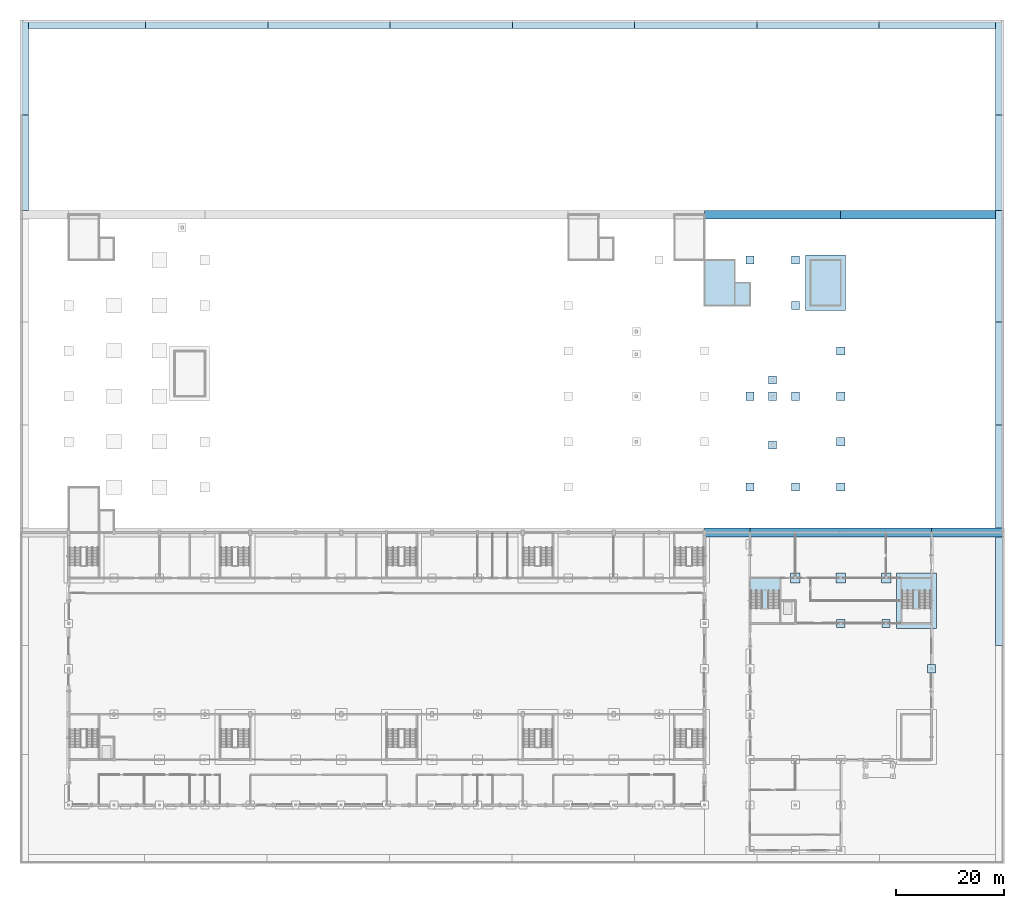
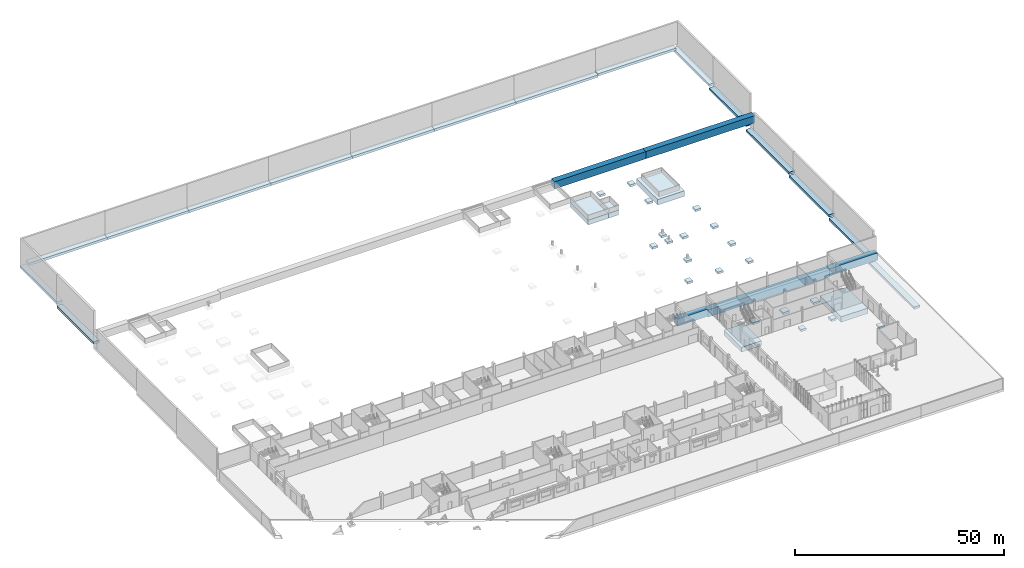
# One storey, part 3 of 36: 46 footings.
"""IFC4 building model written with IfcOpenShell, lengths in metres."""

from ifc_helpers import new_model, si_unit, direction, frame, origin, place, context, subcontext, project, spatial, polyline, outline, extrude, material, type_object, element, save


model = new_model("IFC4")

# Units and contexts
model_context = context("Model", 3, precision=1e-05, world=origin(), true_north=direction((0.0, 1.0)))
body_context = subcontext(model_context, "Body", "Model", "MODEL_VIEW")
ifc_project = project(units=[si_unit("LENGTHUNIT", "METRE"), si_unit("AREAUNIT", "SQUARE_METRE"), si_unit("VOLUMEUNIT", "CUBIC_METRE"), si_unit("PLANEANGLEUNIT", "RADIAN"), si_unit("MASSUNIT", "GRAM", prefix="KILO")], contexts=[model_context])

# Site, building, storey
site_placement = place(None, origin())
site = spatial("IfcSite", under=ifc_project, at=site_placement, CompositionType="ELEMENT")
building_placement = place(site_placement, origin())
building = spatial("IfcBuilding", under=site, at=building_placement, Name="Fescue Hill Polytechnic", CompositionType="ELEMENT")
storey_placement = place(building_placement, origin())
storey = spatial("IfcBuildingStorey", under=building, at=storey_placement, Name="L00", CompositionType="ELEMENT", Elevation=0.0)

# Footings
ifc_material = material(Name="Concrete 35 MPa", Category="concrete")
footing_type_1 = type_object("IfcFootingType", Name="Pad footing 1500x1500x600", PredefinedType="PAD_FOOTING", material=ifc_material)
footing_1_placement = place(storey_placement, frame((0.0, 0.0, -2.10009765625)))
element("IfcFooting", 1, at=footing_1_placement, inside=storey, type_object=footing_type_1, Name="FT-L00-075", PredefinedType="PAD_FOOTING", context=body_context, shape_type="SweptSolid", body=[
    extrude(outline(polyline([(143.550048828125, 32.85009765625), (143.550048828125, 34.35009765625), (142.050048828125, 34.35009765625), (142.050048828125, 32.85009765625), (143.550048828125, 32.85009765625)])), origin(), (0.0, 0.0, 1.0), 0.60009765625),
])
footing_2_placement = place(storey_placement, frame((0.0, 0.0, -2.10009765625)))
element("IfcFooting", 2, at=footing_2_placement, inside=storey, type_object=footing_type_1, Name="FT-L00-078", PredefinedType="PAD_FOOTING", context=body_context, shape_type="SweptSolid", body=[
    extrude(outline(polyline([(151.949951171875, 32.85009765625), (151.949951171875, 34.35009765625), (150.449951171875, 34.35009765625), (150.449951171875, 32.85009765625), (151.949951171875, 32.85009765625)])), origin(), (0.0, 0.0, 1.0), 0.60009765625),
])
footing_3_placement = place(storey_placement, frame((0.0, 0.0, -2.10009765625)))
element("IfcFooting", 3, at=footing_3_placement, inside=storey, type_object=footing_type_1, Name="FT-L00-081", PredefinedType="PAD_FOOTING", context=body_context, shape_type="SweptSolid", body=[
    extrude(outline(polyline([(160.35009765625, 24.449951171875), (160.35009765625, 25.949951171875), (158.85009765625, 25.949951171875), (158.85009765625, 24.449951171875), (160.35009765625, 24.449951171875)])), origin(), (0.0, 0.0, 1.0), 0.60009765625),
])
footing_4_placement = place(storey_placement, frame((0.0, 0.0, 2.39990234375)))
element("IfcFooting", 4, at=footing_4_placement, inside=storey, type_object=footing_type_1, Name="FT-L00-121", PredefinedType="PAD_FOOTING", context=body_context, shape_type="SweptSolid", body=[
    extrude(outline(polyline([(126.75, 58.050048828125), (126.75, 59.550048828125), (125.25, 59.550048828125), (125.25, 58.050048828125), (126.75, 58.050048828125)])), origin(), (0.0, 0.0, 1.0), 0.60009765625),
])
footing_5_placement = place(storey_placement, frame((0.0, 0.0, 2.39990234375)))
element("IfcFooting", 5, at=footing_5_placement, inside=storey, type_object=footing_type_1, Name="FT-L00-122", PredefinedType="PAD_FOOTING", context=body_context, shape_type="SweptSolid", body=[
    extrude(outline(polyline([(126.75, 74.85009765625), (126.75, 76.35009765625), (125.25, 76.35009765625), (125.25, 74.85009765625), (126.75, 74.85009765625)])), origin(), (0.0, 0.0, 1.0), 0.60009765625),
])
footing_6_placement = place(storey_placement, frame((0.0, 0.0, 2.39990234375)))
element("IfcFooting", 6, at=footing_6_placement, inside=storey, type_object=footing_type_1, Name="FT-L00-123", PredefinedType="PAD_FOOTING", context=body_context, shape_type="SweptSolid", body=[
    extrude(outline(polyline([(126.75, 100.050048828125), (126.75, 101.550048828125), (125.25, 101.550048828125), (125.25, 100.050048828125), (126.75, 100.050048828125)])), origin(), (0.0, 0.0, 1.0), 0.60009765625),
])
footing_7_placement = place(storey_placement, frame((0.0, 0.0, 2.39990234375)))
element("IfcFooting", 7, at=footing_7_placement, inside=storey, type_object=footing_type_1, Name="FT-L00-124", PredefinedType="PAD_FOOTING", context=body_context, shape_type="SweptSolid", body=[
    extrude(outline(polyline([(135.14990234375, 58.050048828125), (135.14990234375, 59.550048828125), (133.64990234375, 59.550048828125), (133.64990234375, 58.050048828125), (135.14990234375, 58.050048828125)])), origin(), (0.0, 0.0, 1.0), 0.60009765625),
])
footing_8_placement = place(storey_placement, frame((0.0, 0.0, 2.39990234375)))
element("IfcFooting", 8, at=footing_8_placement, inside=storey, type_object=footing_type_1, Name="FT-L00-125", PredefinedType="PAD_FOOTING", context=body_context, shape_type="SweptSolid", body=[
    extrude(outline(polyline([(135.14990234375, 74.85009765625), (135.14990234375, 76.35009765625), (133.64990234375, 76.35009765625), (133.64990234375, 74.85009765625), (135.14990234375, 74.85009765625)])), origin(), (0.0, 0.0, 1.0), 0.60009765625),
])
footing_9_placement = place(storey_placement, frame((0.0, 0.0, 2.39990234375)))
element("IfcFooting", 9, at=footing_9_placement, inside=storey, type_object=footing_type_1, Name="FT-L00-126", PredefinedType="PAD_FOOTING", context=body_context, shape_type="SweptSolid", body=[
    extrude(outline(polyline([(135.14990234375, 91.64990234375), (135.14990234375, 93.14990234375), (133.64990234375, 93.14990234375), (133.64990234375, 91.64990234375), (135.14990234375, 91.64990234375)])), origin(), (0.0, 0.0, 1.0), 0.60009765625),
])
footing_10_placement = place(storey_placement, frame((0.0, 0.0, 2.39990234375)))
element("IfcFooting", 10, at=footing_10_placement, inside=storey, type_object=footing_type_1, Name="FT-L00-127", PredefinedType="PAD_FOOTING", context=body_context, shape_type="SweptSolid", body=[
    extrude(outline(polyline([(135.14990234375, 100.050048828125), (135.14990234375, 101.550048828125), (133.64990234375, 101.550048828125), (133.64990234375, 100.050048828125), (135.14990234375, 100.050048828125)])), origin(), (0.0, 0.0, 1.0), 0.60009765625),
])
footing_11_placement = place(storey_placement, frame((0.0, 0.0, 2.39990234375)))
element("IfcFooting", 11, at=footing_11_placement, inside=storey, type_object=footing_type_1, Name="FT-L00-129", PredefinedType="PAD_FOOTING", context=body_context, shape_type="SweptSolid", body=[
    extrude(outline(polyline([(143.550048828125, 58.050048828125), (143.550048828125, 59.550048828125), (142.050048828125, 59.550048828125), (142.050048828125, 58.050048828125), (143.550048828125, 58.050048828125)])), origin(), (0.0, 0.0, 1.0), 0.60009765625),
])
footing_12_placement = place(storey_placement, frame((0.0, 0.0, 2.39990234375)))
element("IfcFooting", 12, at=footing_12_placement, inside=storey, type_object=footing_type_1, Name="FT-L00-130", PredefinedType="PAD_FOOTING", context=body_context, shape_type="SweptSolid", body=[
    extrude(outline(polyline([(143.550048828125, 66.449951171875), (143.550048828125, 67.949951171875), (142.050048828125, 67.949951171875), (142.050048828125, 66.449951171875), (143.550048828125, 66.449951171875)])), origin(), (0.0, 0.0, 1.0), 0.60009765625),
])
footing_13_placement = place(storey_placement, frame((0.0, 0.0, 2.39990234375)))
element("IfcFooting", 13, at=footing_13_placement, inside=storey, type_object=footing_type_1, Name="FT-L00-131", PredefinedType="PAD_FOOTING", context=body_context, shape_type="SweptSolid", body=[
    extrude(outline(polyline([(143.550048828125, 74.85009765625), (143.550048828125, 76.35009765625), (142.050048828125, 76.35009765625), (142.050048828125, 74.85009765625), (143.550048828125, 74.85009765625)])), origin(), (0.0, 0.0, 1.0), 0.60009765625),
])
footing_14_placement = place(storey_placement, frame((0.0, 0.0, 2.39990234375)))
element("IfcFooting", 14, at=footing_14_placement, inside=storey, type_object=footing_type_1, Name="FT-L00-132", PredefinedType="PAD_FOOTING", context=body_context, shape_type="SweptSolid", body=[
    extrude(outline(polyline([(143.550048828125, 83.25), (143.550048828125, 84.75), (142.050048828125, 84.75), (142.050048828125, 83.25), (143.550048828125, 83.25)])), origin(), (0.0, 0.0, 1.0), 0.60009765625),
])
footing_15_placement = place(storey_placement, frame((0.0, 0.0, 2.39990234375)))
element("IfcFooting", 15, at=footing_15_placement, inside=storey, type_object=footing_type_1, Name="FT-L00-133", PredefinedType="PAD_FOOTING", context=body_context, shape_type="SweptSolid", body=[
    extrude(outline(polyline([(130.949951171875, 74.85009765625), (130.949951171875, 76.35009765625), (129.449951171875, 76.35009765625), (129.449951171875, 74.85009765625), (130.949951171875, 74.85009765625)])), origin(), (0.0, 0.0, 1.0), 0.60009765625),
])
footing_16_placement = place(storey_placement, frame((0.0, 0.0, 2.39990234375)))
element("IfcFooting", 16, at=footing_16_placement, inside=storey, type_object=footing_type_1, Name="FT-L00-134", PredefinedType="PAD_FOOTING", context=body_context, shape_type="SweptSolid", body=[
    extrude(outline(polyline([(130.949951171875, 77.85009765625), (130.949951171875, 79.35009765625), (129.449951171875, 79.35009765625), (129.449951171875, 77.85009765625), (130.949951171875, 77.85009765625)])), origin(), (0.0, 0.0, 1.0), 0.60009765625),
])
footing_17_placement = place(storey_placement, frame((0.0, 0.0, 2.39990234375)))
element("IfcFooting", 17, at=footing_17_placement, inside=storey, type_object=footing_type_1, Name="FT-L00-135", PredefinedType="PAD_FOOTING", context=body_context, shape_type="SweptSolid", body=[
    extrude(outline(polyline([(130.949951171875, 65.85009765625), (130.949951171875, 67.35009765625), (129.449951171875, 67.35009765625), (129.449951171875, 65.85009765625), (130.949951171875, 65.85009765625)])), origin(), (0.0, 0.0, 1.0), 0.60009765625),
])
footing_type_2 = type_object("IfcFootingType", Name="Pad footing 1800x1800x600", PredefinedType="PAD_FOOTING", material=ifc_material)
footing_18_placement = place(storey_placement, frame((0.0, 0.0, -2.10009765625)))
element("IfcFooting", 18, at=footing_18_placement, inside=storey, type_object=footing_type_2, Name="FT-L00-067", PredefinedType="PAD_FOOTING", context=body_context, shape_type="SweptSolid", body=[
    extrude(outline(polyline([(135.300048828125, 41.10009765625), (135.300048828125, 42.89990234375), (133.5, 42.89990234375), (133.5, 41.10009765625), (135.300048828125, 41.10009765625)])), origin(), (0.0, 0.0, 1.0), 0.60009765625),
])
footing_19_placement = place(storey_placement, frame((0.0, 0.0, -2.10009765625)))
element("IfcFooting", 19, at=footing_19_placement, inside=storey, type_object=footing_type_2, Name="FT-L00-071", PredefinedType="PAD_FOOTING", context=body_context, shape_type="SweptSolid", body=[
    extrude(outline(polyline([(143.699951171875, 41.10009765625), (143.699951171875, 42.89990234375), (141.89990234375, 42.89990234375), (141.89990234375, 41.10009765625), (143.699951171875, 41.10009765625)])), origin(), (0.0, 0.0, 1.0), 0.60009765625),
])
footing_20_placement = place(storey_placement, frame((0.0, 0.0, -2.10009765625)))
element("IfcFooting", 20, at=footing_20_placement, inside=storey, type_object=footing_type_2, Name="FT-L00-076", PredefinedType="PAD_FOOTING", context=body_context, shape_type="SweptSolid", body=[
    extrude(outline(polyline([(152.10009765625, 41.10009765625), (152.10009765625, 42.89990234375), (150.300048828125, 42.89990234375), (150.300048828125, 41.10009765625), (152.10009765625, 41.10009765625)])), origin(), (0.0, 0.0, 1.0), 0.60009765625),
])
footing_type_3 = type_object("IfcFootingType", Name="Pad footing 2800x4200x1400", PredefinedType="PAD_FOOTING", material=ifc_material)
footing_21_placement = place(storey_placement, frame((0.0, 0.0, 1.60009765625)))
element("IfcFooting", 21, at=footing_21_placement, inside=storey, type_object=footing_type_3, Name="FT-L00-120", PredefinedType="PAD_FOOTING", context=body_context, shape_type="SweptSolid", body=[
    extrude(outline(polyline([(126.0, 92.39990234375), (126.0, 96.60009765625), (123.199951171875, 96.60009765625), (123.199951171875, 92.39990234375), (126.0, 92.39990234375)])), origin(), (0.0, 0.0, 1.0), 1.39990234375),
])
footing_type_4 = type_object("IfcFootingType", Name="Raft footing 5600x8400x1400", PredefinedType="PAD_FOOTING", material=ifc_material)
footing_22_placement = place(storey_placement, frame((0.0, 0.0, -2.89990234375)))
element("IfcFooting", 22, at=footing_22_placement, inside=storey, type_object=footing_type_4, Name="FT-L00-065", PredefinedType="PAD_FOOTING", context=body_context, shape_type="SweptSolid", body=[
    extrude(outline(polyline([(131.60009765625, 33.60009765625), (131.60009765625, 42.0), (126.0, 42.0), (126.0, 33.60009765625), (131.60009765625, 33.60009765625)])), origin(), (0.0, 0.0, 1.0), 1.39990234375),
])
footing_23_placement = place(storey_placement, frame((0.0, 0.0, 1.60009765625)))
element("IfcFooting", 23, at=footing_23_placement, inside=storey, type_object=footing_type_4, Name="FT-L00-119", PredefinedType="PAD_FOOTING", context=body_context, shape_type="SweptSolid", body=[
    extrude(outline(polyline([(123.199951171875, 92.39990234375), (123.199951171875, 100.800048828125), (117.60009765625, 100.800048828125), (117.60009765625, 92.39990234375), (123.199951171875, 92.39990234375)])), origin(), (0.0, 0.0, 1.0), 1.39990234375),
])
footing_type_5 = type_object("IfcFootingType", Name="Raft footing 7400x10200x1600", PredefinedType="PAD_FOOTING", material=ifc_material)
footing_24_placement = place(storey_placement, frame((0.0, 0.0, -3.10009765625)))
element("IfcFooting", 24, at=footing_24_placement, inside=storey, type_object=footing_type_5, Name="FT-L00-080", PredefinedType="PAD_FOOTING", context=body_context, shape_type="SweptSolid", body=[
    extrude(outline(polyline([(153.10009765625, 32.699951171875), (153.10009765625, 42.89990234375), (160.5, 42.89990234375), (160.5, 32.699951171875), (153.10009765625, 32.699951171875)])), origin(), (0.0, 0.0, 1.0), 1.60009765625),
])
footing_25_placement = place(storey_placement, frame((0.0, 0.0, 1.39990234375)))
element("IfcFooting", 25, at=footing_25_placement, inside=storey, type_object=footing_type_5, Name="FT-L00-128", PredefinedType="PAD_FOOTING", context=body_context, shape_type="SweptSolid", body=[
    extrude(outline(polyline([(136.300048828125, 91.5), (136.300048828125, 101.699951171875), (143.699951171875, 101.699951171875), (143.699951171875, 91.5), (136.300048828125, 91.5)])), origin(), (0.0, 0.0, 1.0), 1.60009765625),
])
footing_type_6 = type_object("IfcFootingType", Name="Strip footing 1600x2100", PredefinedType="STRIP_FOOTING", material=ifc_material)
footing_26_placement = place(storey_placement, frame((0.0, 0.0, -2.10009765625)))
element("IfcFooting", 26, at=footing_26_placement, inside=storey, type_object=footing_type_6, Name="SF-L00-001", PredefinedType="STRIP_FOOTING", context=body_context, shape_type="SweptSolid", body=[
    extrude(outline(polyline([(126.0, 51.199951171875), (126.0, 49.60009765625), (117.60009765625, 49.60009765625), (117.60009765625, 51.199951171875), (126.0, 51.199951171875)])), origin(), (0.0, 0.0, 1.0), 2.10009765625),
])
footing_27_placement = place(storey_placement, frame((0.0, 0.0, -2.10009765625)))
element("IfcFooting", 27, at=footing_27_placement, inside=storey, type_object=footing_type_6, Name="SF-L00-002", PredefinedType="STRIP_FOOTING", context=body_context, shape_type="SweptSolid", body=[
    extrude(outline(polyline([(172.989990234375, 51.199951171875), (172.989990234375, 49.60009765625), (159.60009765625, 49.60009765625), (159.60009765625, 51.199951171875), (172.989990234375, 51.199951171875)])), origin(), (0.0, 0.0, 1.0), 2.10009765625),
])
footing_28_placement = place(storey_placement, frame((0.0, 0.0, 2.39990234375)))
element("IfcFooting", 28, at=footing_28_placement, inside=storey, type_object=footing_type_6, Name="SF-L00-005", PredefinedType="STRIP_FOOTING", context=body_context, shape_type="SweptSolid", body=[
    extrude(outline(polyline([(142.800048828125, 110.0), (142.800048828125, 108.39990234375), (117.60009765625, 108.39990234375), (117.60009765625, 110.0), (142.800048828125, 110.0)])), origin(), (0.0, 0.0, 1.0), 2.10009765625),
])
footing_29_placement = place(storey_placement, frame((0.0, 0.0, 2.39990234375)))
element("IfcFooting", 29, at=footing_29_placement, inside=storey, type_object=footing_type_6, Name="SF-L00-007", PredefinedType="STRIP_FOOTING", context=body_context, shape_type="SweptSolid", body=[
    extrude(outline(polyline([(172.989990234375, 110.0), (172.989990234375, 108.39990234375), (142.800048828125, 108.39990234375), (142.800048828125, 110.0), (172.989990234375, 110.0)])), origin(), (0.0, 0.0, 1.0), 2.10009765625),
])
footing_30_placement = place(storey_placement, frame((0.0, 0.0, -2.35009765625)))
element("IfcFooting", 30, at=footing_30_placement, inside=storey, type_object=footing_type_6, Name="SF-L00-009", PredefinedType="STRIP_FOOTING", context=body_context, shape_type="SweptSolid", body=[
    extrude(outline(polyline([(126.0, 49.60009765625), (126.0, 51.199951171875), (159.60009765625, 51.199951171875), (159.60009765625, 49.60009765625), (126.0, 49.60009765625)])), origin(), (0.0, 0.0, 1.0), 2.10009765625),
])
footing_type_7 = type_object("IfcFootingType", Name="Strip footing 1600x700", PredefinedType="STRIP_FOOTING", material=ifc_material)
footing_31_placement = place(storey_placement, frame((0.0, 0.0, 0.30908203125)))
element("IfcFooting", 31, at=footing_31_placement, inside=storey, type_object=footing_type_7, Name="SF-PW07", PredefinedType="STRIP_FOOTING", context=body_context, shape_type="SweptSolid", body=[
    extrude(outline(polyline([(-8.989990234375, 110.0), (-7.389892578125, 110.0), (-7.389892578125, 127.596435546875), (-8.989990234375, 127.596435546875), (-8.989990234375, 110.0)])), origin(), (0.0, 0.0, 1.0), 0.699951171875),
])
footing_32_placement = place(storey_placement, frame((0.0, 0.0, 1.333984375)))
element("IfcFooting", 32, at=footing_32_placement, inside=storey, type_object=footing_type_7, Name="SF-PW08", PredefinedType="STRIP_FOOTING", context=body_context, shape_type="SweptSolid", body=[
    extrude(outline(polyline([(-8.989990234375, 127.596435546875), (-7.389892578125, 127.596435546875), (-7.389892578125, 145.193115234375), (-8.989990234375, 145.193115234375), (-8.989990234375, 127.596435546875)])), origin(), (0.0, 0.0, 1.0), 0.699951171875),
])
footing_33_placement = place(storey_placement, frame((0.0, 0.0, -3.800048828125)))
element("IfcFooting", 33, at=footing_33_placement, inside=storey, type_object=footing_type_7, Name="SF-PW11", PredefinedType="STRIP_FOOTING", context=body_context, shape_type="SweptSolid", body=[
    extrude(outline(polyline([(171.389892578125, 29.468994140625), (172.989990234375, 29.468994140625), (172.989990234375, 51.199951171875), (171.389892578125, 51.199951171875), (171.389892578125, 29.468994140625)])), origin(), (0.0, 0.0, 1.0), 0.699951171875),
])
footing_34_placement = place(storey_placement, frame((0.0, 0.0, -2.4990234375)))
element("IfcFooting", 34, at=footing_34_placement, inside=storey, type_object=footing_type_7, Name="SF-PW12", PredefinedType="STRIP_FOOTING", context=body_context, shape_type="SweptSolid", body=[
    extrude(outline(polyline([(171.389892578125, 51.199951171875), (172.989990234375, 51.199951171875), (172.989990234375, 70.2666015625), (171.389892578125, 70.2666015625), (171.389892578125, 51.199951171875)])), origin(), (0.0, 0.0, 1.0), 0.699951171875),
])
footing_35_placement = place(storey_placement, frame((0.0, 0.0, -1.592041015625)))
element("IfcFooting", 35, at=footing_35_placement, inside=storey, type_object=footing_type_7, Name="SF-PW13", PredefinedType="STRIP_FOOTING", context=body_context, shape_type="SweptSolid", body=[
    extrude(outline(polyline([(171.389892578125, 70.2666015625), (172.989990234375, 70.2666015625), (172.989990234375, 89.333251953125), (171.389892578125, 89.333251953125), (171.389892578125, 70.2666015625)])), origin(), (0.0, 0.0, 1.0), 0.699951171875),
])
footing_36_placement = place(storey_placement, frame((0.0, 0.0, -0.699951171875)))
element("IfcFooting", 36, at=footing_36_placement, inside=storey, type_object=footing_type_7, Name="SF-PW14", PredefinedType="STRIP_FOOTING", context=body_context, shape_type="SweptSolid", body=[
    extrude(outline(polyline([(171.389892578125, 89.333251953125), (172.989990234375, 89.333251953125), (172.989990234375, 110.0), (171.389892578125, 110.0), (171.389892578125, 89.333251953125)])), origin(), (0.0, 0.0, 1.0), 0.699951171875),
])
footing_37_placement = place(storey_placement, frame((0.0, 0.0, 0.818115234375)))
element("IfcFooting", 37, at=footing_37_placement, inside=storey, type_object=footing_type_7, Name="SF-PW15", PredefinedType="STRIP_FOOTING", context=body_context, shape_type="SweptSolid", body=[
    extrude(outline(polyline([(171.389892578125, 110.0), (172.989990234375, 110.0), (172.989990234375, 127.596435546875), (171.389892578125, 127.596435546875), (171.389892578125, 110.0)])), origin(), (0.0, 0.0, 1.0), 0.699951171875),
])
footing_38_placement = place(storey_placement, frame((0.0, 0.0, 1.844970703125)))
element("IfcFooting", 38, at=footing_38_placement, inside=storey, type_object=footing_type_7, Name="SF-PW16", PredefinedType="STRIP_FOOTING", context=body_context, shape_type="SweptSolid", body=[
    extrude(outline(polyline([(171.389892578125, 127.596435546875), (172.989990234375, 127.596435546875), (172.989990234375, 145.193115234375), (171.389892578125, 145.193115234375), (171.389892578125, 127.596435546875)])), origin(), (0.0, 0.0, 1.0), 0.699951171875),
])
footing_39_placement = place(storey_placement, frame((0.0, 0.0, 2.387939453125)))
element("IfcFooting", 39, at=footing_39_placement, inside=storey, type_object=footing_type_7, Name="SF-PW25", PredefinedType="STRIP_FOOTING", context=body_context, shape_type="SweptSolid", body=[
    extrude(outline(polyline([(-7.389892578125, 143.590087890625), (14.2177734375, 143.590087890625), (14.2177734375, 145.18994140625), (-7.389892578125, 145.18994140625), (-7.389892578125, 143.590087890625)])), origin(), (0.0, 0.0, 1.0), 0.699951171875),
])
footing_40_placement = place(storey_placement, frame((0.0, 0.0, 2.387939453125)))
element("IfcFooting", 40, at=footing_40_placement, inside=storey, type_object=footing_type_7, Name="SF-PW26", PredefinedType="STRIP_FOOTING", context=body_context, shape_type="SweptSolid", body=[
    extrude(outline(polyline([(14.2177734375, 143.590087890625), (36.82861328125, 143.590087890625), (36.82861328125, 145.18994140625), (14.2177734375, 145.18994140625), (14.2177734375, 143.590087890625)])), origin(), (0.0, 0.0, 1.0), 0.699951171875),
])
footing_41_placement = place(storey_placement, frame((0.0, 0.0, 2.387939453125)))
element("IfcFooting", 41, at=footing_41_placement, inside=storey, type_object=footing_type_7, Name="SF-PW27", PredefinedType="STRIP_FOOTING", context=body_context, shape_type="SweptSolid", body=[
    extrude(outline(polyline([(36.82861328125, 143.590087890625), (59.439208984375, 143.590087890625), (59.439208984375, 145.18994140625), (36.82861328125, 145.18994140625), (36.82861328125, 143.590087890625)])), origin(), (0.0, 0.0, 1.0), 0.699951171875),
])
footing_42_placement = place(storey_placement, frame((0.0, 0.0, 2.387939453125)))
element("IfcFooting", 42, at=footing_42_placement, inside=storey, type_object=footing_type_7, Name="SF-PW28", PredefinedType="STRIP_FOOTING", context=body_context, shape_type="SweptSolid", body=[
    extrude(outline(polyline([(59.439208984375, 143.590087890625), (82.050048828125, 143.590087890625), (82.050048828125, 145.18994140625), (59.439208984375, 145.18994140625), (59.439208984375, 143.590087890625)])), origin(), (0.0, 0.0, 1.0), 0.699951171875),
])
footing_43_placement = place(storey_placement, frame((0.0, 0.0, 2.387939453125)))
element("IfcFooting", 43, at=footing_43_placement, inside=storey, type_object=footing_type_7, Name="SF-PW29", PredefinedType="STRIP_FOOTING", context=body_context, shape_type="SweptSolid", body=[
    extrude(outline(polyline([(82.050048828125, 143.590087890625), (104.66064453125, 143.590087890625), (104.66064453125, 145.18994140625), (82.050048828125, 145.18994140625), (82.050048828125, 143.590087890625)])), origin(), (0.0, 0.0, 1.0), 0.699951171875),
])
footing_44_placement = place(storey_placement, frame((0.0, 0.0, 2.387939453125)))
element("IfcFooting", 44, at=footing_44_placement, inside=storey, type_object=footing_type_7, Name="SF-PW30", PredefinedType="STRIP_FOOTING", context=body_context, shape_type="SweptSolid", body=[
    extrude(outline(polyline([(104.66064453125, 143.590087890625), (127.271484375, 143.590087890625), (127.271484375, 145.18994140625), (104.66064453125, 145.18994140625), (104.66064453125, 143.590087890625)])), origin(), (0.0, 0.0, 1.0), 0.699951171875),
])
footing_45_placement = place(storey_placement, frame((0.0, 0.0, 2.410888671875)))
element("IfcFooting", 45, at=footing_45_placement, inside=storey, type_object=footing_type_7, Name="SF-PW31", PredefinedType="STRIP_FOOTING", context=body_context, shape_type="SweptSolid", body=[
    extrude(outline(polyline([(127.271484375, 143.590087890625), (149.882080078125, 143.590087890625), (149.882080078125, 145.18994140625), (127.271484375, 145.18994140625), (127.271484375, 143.590087890625)])), origin(), (0.0, 0.0, 1.0), 0.7001953125),
])
footing_46_placement = place(storey_placement, frame((0.0, 0.0, 2.721923828125)))
element("IfcFooting", 46, at=footing_46_placement, inside=storey, type_object=footing_type_7, Name="SF-PW32", PredefinedType="STRIP_FOOTING", context=body_context, shape_type="SweptSolid", body=[
    extrude(outline(polyline([(149.882080078125, 143.590087890625), (171.389892578125, 143.590087890625), (171.389892578125, 145.18994140625), (149.882080078125, 145.18994140625), (149.882080078125, 143.590087890625)])), origin(), (0.0, 0.0, 1.0), 0.7001953125),
])

save(model, "model.ifc")
